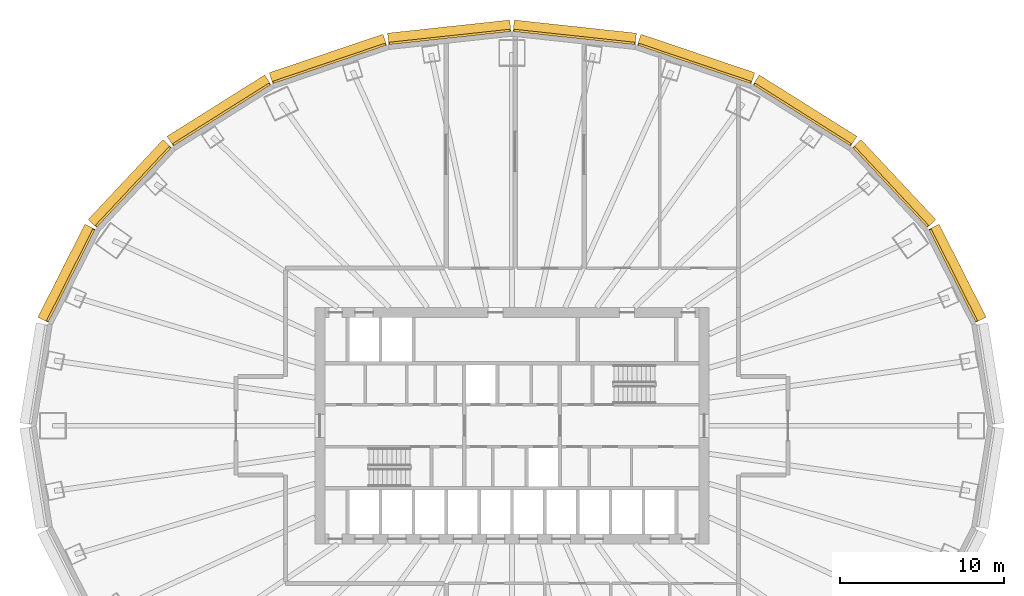
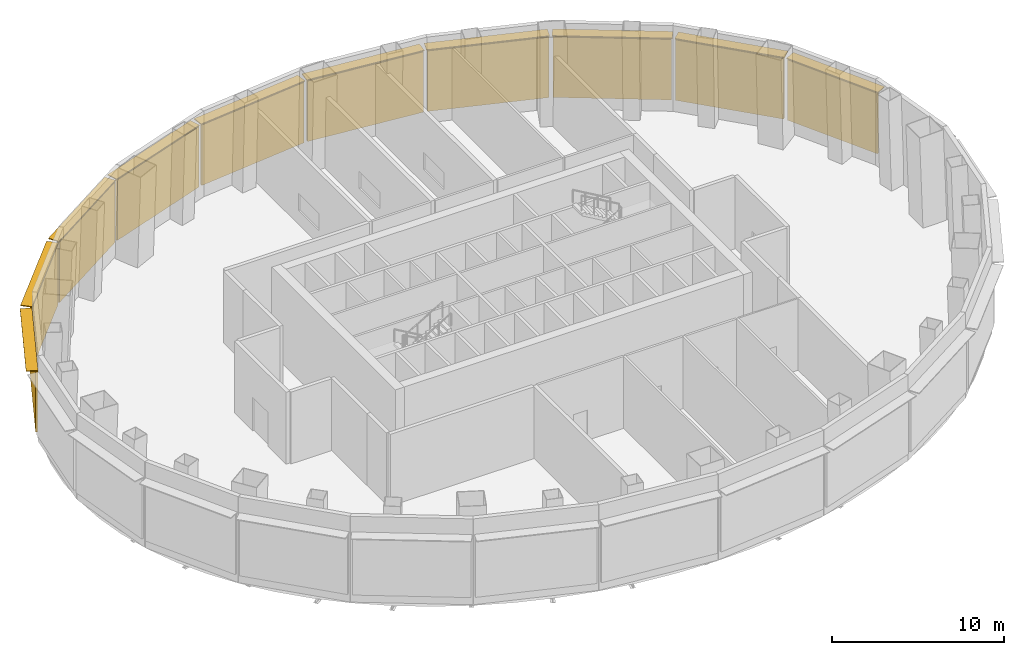
# One storey, part 9 of 9: 20 shading devices.
"""IFC4 building model written with IfcOpenShell, lengths in metres."""

import ifcopenshell
import ifcopenshell.guid

model = None  # the IFC model being written
_history = None  # IfcOwnerHistory: only IFC2X3 demands one
_inside = {}  # id of a spatial element -> (the spatial element, [elements in it])
_under = {}  # id of a project, library or spatial element -> (it, [spatial elements below it])
_declared = {}  # id of a project -> (the project, [libraries it declares])
_typed = {}  # id of a type object -> (the type object, [elements of that type])
_made_of = {}  # id of a material, layer set ... -> (it, [elements and type objects made of it])


def new_model(schema):
    """Start an empty IFC model of exactly this schema.

    Asked for "IFC4X3", IfcOpenShell would pick the latest addendum, in which some entities
    have other attributes; the version numbers below select the first issue.
    IFC2X3 requires an IfcOwnerHistory on every rooted entity: one is made here for all.
    """
    global model, _history
    if schema == "IFC4X3":
        model = ifcopenshell.file(schema_version=(4, 3, 0, 0))
    else:
        model = ifcopenshell.file(schema=schema)
    _inside.clear()
    _under.clear()
    _declared.clear()
    _typed.clear()
    _made_of.clear()
    _history = None
    if model.schema == "IFC2X3":
        org = make("IfcOrganization", Name="unknown")
        user = make(
            "IfcPersonAndOrganization",
            ThePerson=make("IfcPerson", FamilyName="unknown"),
            TheOrganization=org,
        )
        app = make(
            "IfcApplication",
            ApplicationDeveloper=org,
            Version="unknown",
            ApplicationFullName="unknown",
            ApplicationIdentifier="unknown",
        )
        _history = make(
            "IfcOwnerHistory",
            OwningUser=user,
            OwningApplication=app,
            ChangeAction="ADDED",
            CreationDate=0,
        )
    return model


def make(cls, **values):
    """One entity of the class cls with the attributes given. An attribute that is None is left unset."""
    return model.create_entity(
        cls, **{name: value for name, value in values.items() if value is not None}
    )


def rooted(cls, **values):
    """An entity with a GlobalId (a new one), such as an element, a storey or a relation."""
    return make(cls, GlobalId=ifcopenshell.guid.new(), OwnerHistory=_history, **values)


def si_unit(unit_type, name, prefix=None):
    """IfcSIUnit, for example si_unit("LENGTHUNIT", "METRE", prefix="MILLI")."""
    return make("IfcSIUnit", UnitType=unit_type, Prefix=prefix, Name=name)


def assignment(units):
    """IfcUnitAssignment: the units of a project."""
    return None if units is None else make("IfcUnitAssignment", Units=units)


def point(xyz):
    """IfcCartesianPoint."""
    return None if xyz is None else make("IfcCartesianPoint", Coordinates=xyz)


def direction(xyz):
    """IfcDirection."""
    return None if xyz is None else make("IfcDirection", DirectionRatios=xyz)


def frame(location, z_axis=None, x_axis=None):
    """IfcAxis2Placement3D, a coordinate frame: its origin and axes. An axis left out is left unset."""
    return make(
        "IfcAxis2Placement3D",
        Location=point(location),
        Axis=direction(z_axis),
        RefDirection=direction(x_axis),
    )


def frame_2d(location, x_axis=None):
    """IfcAxis2Placement2D, a coordinate frame in the plane: its origin and x axis."""
    return make(
        "IfcAxis2Placement2D", Location=point(location), RefDirection=direction(x_axis)
    )


def origin():
    """The frame at (0, 0, 0) with its axes left unset."""
    return frame((0.0, 0.0, 0.0))


def origin_2d():
    """The frame at (0, 0) in the plane with its x axis left unset."""
    return frame_2d((0.0, 0.0))


def place(relative_to, where):
    """IfcLocalPlacement: puts the frame where relative to a parent placement (None: the world)."""
    return make(
        "IfcLocalPlacement", PlacementRelTo=relative_to, RelativePlacement=where
    )


def context(
    kind, dimensions, precision=None, world=None, true_north=None, identifier=None
):
    """IfcGeometricRepresentationContext, for example the 3D "Model" context."""
    return make(
        "IfcGeometricRepresentationContext",
        ContextIdentifier=identifier,
        ContextType=kind,
        CoordinateSpaceDimension=dimensions,
        Precision=precision,
        WorldCoordinateSystem=world,
        TrueNorth=true_north,
    )


def subcontext(parent, identifier, kind, view, scale=None):
    """IfcGeometricRepresentationSubContext, for example "Body" below "Model"."""
    return make(
        "IfcGeometricRepresentationSubContext",
        ContextIdentifier=identifier,
        ContextType=kind,
        ParentContext=parent,
        TargetScale=scale,
        TargetView=view,
    )


def project(units=None, contexts=None):
    """IfcProject with its units and contexts."""
    return rooted(
        "IfcProject",
        Name="project",
        RepresentationContexts=contexts,
        UnitsInContext=assignment(units),
    )


def spatial(cls, under=None, at=None, **own):
    """A site, building, storey or space (cls), placed at a placement, below another one or the project."""
    s = rooted(cls, ObjectPlacement=at, **own)
    if under is not None:
        _under.setdefault(under.id(), (under, []))[1].append(s)
    return s


def profile(cls, at=None, kind="AREA", **sizes):
    """A parametric profile (cls). Its sizes go by their IFC names, for example OverallWidth=200.0."""
    return make(cls, ProfileType=kind, Position=at, **sizes)


def rectangle(**sizes):
    """IfcRectangleProfileDef."""
    return profile("IfcRectangleProfileDef", **sizes)


def extrude(swept, where, along, depth):
    """IfcExtrudedAreaSolid: the profile swept, set in the frame where, extruded along a direction by depth."""
    return make(
        "IfcExtrudedAreaSolid",
        SweptArea=swept,
        Position=where,
        ExtrudedDirection=direction(along),
        Depth=depth,
    )


def shape(context_of_items, identifier, shape_type, items):
    """IfcShapeRepresentation: the items that make up one representation, for example the "Body"."""
    return make(
        "IfcShapeRepresentation",
        ContextOfItems=context_of_items,
        RepresentationIdentifier=identifier,
        RepresentationType=shape_type,
        Items=items,
    )


def material(Name=None, Category=None):
    """IfcMaterial."""
    return make("IfcMaterial", Name=Name, Category=Category)


def layer(
    of_material, thickness, ventilated=None, Name=None, Category=None, Priority=None
):
    """IfcMaterialLayer: one layer of a wall or slab, of a material (None: an air gap)."""
    return make(
        "IfcMaterialLayer",
        Material=of_material,
        LayerThickness=thickness,
        IsVentilated=ventilated,
        Name=Name,
        Category=Category,
        Priority=Priority,
    )


def layer_set(layers, Name=None):
    """IfcMaterialLayerSet."""
    return make("IfcMaterialLayerSet", MaterialLayers=layers, LayerSetName=Name)


def made_of(thing, what):
    """Note that an element or type object is made of a material, layer set ...; save() writes the relation."""
    if what is not None:
        _made_of.setdefault(what.id(), (what, []))[1].append(thing)
    return thing


def type_object(cls, material=None, **own):
    """A type object (cls), such as IfcWallType, which elements share."""
    return made_of(rooted(cls, **own), material)


def element(
    cls,
    number,
    at=None,
    inside=None,
    cuts=None,
    type_object=None,
    material=None,
    context=None,
    identifier="Body",
    shape_type=None,
    held_by="IfcProductDefinitionShape",
    body=None,
    shapes=None,
    **own,
):
    """One element of the class cls, such as IfcWall. Its Tag is "e" and its number.

    at: its placement. inside: the storey or other place that contains it. cuts: it is an
    opening in that element (IfcRelVoidsElement). A single representation is given by context,
    identifier, shape_type and body (its items); several are given by shapes. held_by: the class
    of the entity that holds the representations. save() writes the other relations.
    """
    e = rooted(cls, Tag="e%d" % number, ObjectPlacement=at, **own)
    if body is not None:
        shapes = [shape(context, identifier, shape_type, body)]
    if shapes is not None:
        e.Representation = make(held_by, Representations=shapes)
    if inside is not None:
        _inside.setdefault(inside.id(), (inside, []))[1].append(e)
    if cuts is not None:
        rooted(
            "IfcRelVoidsElement", RelatingBuildingElement=cuts, RelatedOpeningElement=e
        )
    if type_object is not None:
        _typed.setdefault(type_object.id(), (type_object, []))[1].append(e)
    return made_of(e, material)


def aggregate(whole, parts):
    """IfcRelAggregates: a whole, such as a stair, and the parts it consists of."""
    return rooted("IfcRelAggregates", RelatingObject=whole, RelatedObjects=parts)


def save(model, path):
    """Write the relations noted so far, then the file.

    IfcRelAggregates (storeys below a building ...), IfcRelContainedInSpatialStructure (elements
    in a storey), IfcRelDefinesByType, IfcRelAssociatesMaterial and IfcRelDeclares: one each for
    every whole, place, type object, material and project.
    """
    for whole, parts in _under.values():
        aggregate(whole, parts)
    for where, things in _inside.values():
        rooted(
            "IfcRelContainedInSpatialStructure",
            RelatedElements=things,
            RelatingStructure=where,
        )
    for kind, things in _typed.values():
        rooted("IfcRelDefinesByType", RelatedObjects=things, RelatingType=kind)
    for what, things in _made_of.values():
        rooted("IfcRelAssociatesMaterial", RelatedObjects=things, RelatingMaterial=what)
    for by, libraries in _declared.values():
        rooted("IfcRelDeclares", RelatingContext=by, RelatedDefinitions=libraries)
    model.write(path)


model = new_model("IFC4")

# Units and contexts
model_context = context("Model", 3, precision=1e-05, world=origin(), true_north=direction((0.0, 1.0)))
body_context = subcontext(model_context, "Body", "Model", "MODEL_VIEW")
ifc_project = project(units=[si_unit("LENGTHUNIT", "METRE"), si_unit("AREAUNIT", "SQUARE_METRE"), si_unit("VOLUMEUNIT", "CUBIC_METRE"), si_unit("PLANEANGLEUNIT", "RADIAN"), si_unit("MASSUNIT", "GRAM", prefix="KILO")], contexts=[model_context])

# Site, building, storey
site_placement = place(None, origin())
site = spatial("IfcSite", under=ifc_project, at=site_placement, CompositionType="ELEMENT")
building_placement = place(site_placement, origin())
building = spatial("IfcBuilding", under=site, at=building_placement, Name="Siaravel Broadcast Tower", CompositionType="ELEMENT")
storey_placement = place(building_placement, frame((0.0, 0.0, 13.5)))
storey = spatial("IfcBuildingStorey", under=building, at=storey_placement, Name="L02", CompositionType="ELEMENT", Elevation=13.5)

# Shading devices
ifc_material_1 = material(Name="Bronze anodised aluminium", Category="aluminium")
ifc_layer_1 = layer(ifc_material_1, 0.06005859375)
ifc_layer_set_1 = layer_set([ifc_layer_1], Name="Bronze anodised aluminium")
shading_device_type_1 = type_object("IfcShadingDeviceType", Name="Brise-soleil band", PredefinedType="USERDEFINED", material=ifc_layer_set_1)
shading_device_1_placement = place(storey_placement, frame((27.12060546875, 9.28271484375, 4.929931640625), z_axis=(0.0, 0.0, 1.0), x_axis=(-0.451262289, 0.892391364, 0.0)))
element("IfcShadingDevice", 1, at=shading_device_1_placement, inside=storey, type_object=shading_device_type_1, Name="L02 brise-soleil band 02", ObjectType="SUNSHADE", PredefinedType="USERDEFINED", context=body_context, shape_type="SweptSolid", body=[
    extrude(rectangle(XDim=6.351318359375, YDim=0.699951171875, at=origin_2d()), origin(), (0.0, 0.0, 1.0), 0.06005859375),
])
shading_device_2_placement = place(storey_placement, frame((23.26904296875, 14.748291015625, 4.929931640625), z_axis=(0.0, 0.0, 1.0), x_axis=(-0.683655992, 0.729804415, 0.0)))
element("IfcShadingDevice", 2, at=shading_device_2_placement, inside=storey, type_object=shading_device_type_1, Name="L02 brise-soleil band 03", ObjectType="SUNSHADE", PredefinedType="USERDEFINED", context=body_context, shape_type="SweptSolid", body=[
    extrude(rectangle(XDim=6.672119140625, YDim=0.699951171875, at=origin_2d()), origin(), (0.0, 0.0, 1.0), 0.06005859375),
])
shading_device_3_placement = place(storey_placement, frame((17.83984375, 19.1962890625, 4.929931640625), z_axis=(0.0, 0.0, 1.0), x_axis=(-0.846650436, 0.532149452, 0.0)))
element("IfcShadingDevice", 3, at=shading_device_3_placement, inside=storey, type_object=shading_device_type_1, Name="L02 brise-soleil band 04", ObjectType="SUNSHADE", PredefinedType="USERDEFINED", context=body_context, shape_type="SweptSolid", body=[
    extrude(rectangle(XDim=7.0244140625, YDim=0.699951171875, at=origin_2d()), origin(), (0.0, 0.0, 1.0), 0.06005859375),
])
shading_device_4_placement = place(storey_placement, frame((11.20751953125, 22.333251953125, 4.929931640625), z_axis=(0.0, 0.0, 1.0), x_axis=(-0.946977245, 0.321300635, 0.0)))
element("IfcShadingDevice", 4, at=shading_device_4_placement, inside=storey, type_object=shading_device_type_1, Name="L02 brise-soleil band 05", ObjectType="SUNSHADE", PredefinedType="USERDEFINED", context=body_context, shape_type="SweptSolid", body=[
    extrude(rectangle(XDim=7.316162109375, YDim=0.699951171875, at=origin_2d()), origin(), (0.0, 0.0, 1.0), 0.06005859375),
])
for number, where, z_axis, x_axis, name in (
    (5, (3.8212890625, 23.95458984375, 4.929931640625), (0.0, 0.0, 1.0), (-0.994235667, 0.107216783, 0.0), "L02 brise-soleil band 06"),
    (6, (-3.8212890625, 23.95458984375, 4.929931640625), (0.0, 0.0, 1.0), (-0.994235667, -0.107216783, 0.0), "L02 brise-soleil band 07"),
):
    element("IfcShadingDevice", number, at=place(storey_placement, frame(where, z_axis=z_axis, x_axis=x_axis)), inside=storey, type_object=shading_device_type_1, Name=name, ObjectType="SUNSHADE", PredefinedType="USERDEFINED", context=body_context, shape_type="SweptSolid", body=[
        extrude(rectangle(XDim=7.4794921875, YDim=0.699951171875, at=origin_2d()), origin(), (0.0, 0.0, 1.0), 0.06005859375),
    ])
shading_device_5_placement = place(storey_placement, frame((-11.20751953125, 22.333251953125, 4.929931640625), z_axis=(0.0, 0.0, 1.0), x_axis=(-0.946977245, -0.321300635, 0.0)))
element("IfcShadingDevice", 7, at=shading_device_5_placement, inside=storey, type_object=shading_device_type_1, Name="L02 brise-soleil band 08", ObjectType="SUNSHADE", PredefinedType="USERDEFINED", context=body_context, shape_type="SweptSolid", body=[
    extrude(rectangle(XDim=7.316162109375, YDim=0.699951171875, at=origin_2d()), origin(), (0.0, 0.0, 1.0), 0.06005859375),
])
shading_device_6_placement = place(storey_placement, frame((-17.83984375, 19.1962890625, 4.929931640625), z_axis=(0.0, 0.0, 1.0), x_axis=(-0.846650436, -0.532149452, 0.0)))
element("IfcShadingDevice", 8, at=shading_device_6_placement, inside=storey, type_object=shading_device_type_1, Name="L02 brise-soleil band 09", ObjectType="SUNSHADE", PredefinedType="USERDEFINED", context=body_context, shape_type="SweptSolid", body=[
    extrude(rectangle(XDim=7.0244140625, YDim=0.699951171875, at=origin_2d()), origin(), (0.0, 0.0, 1.0), 0.06005859375),
])
shading_device_7_placement = place(storey_placement, frame((-23.26904296875, 14.748291015625, 4.929931640625), z_axis=(0.0, 0.0, 1.0), x_axis=(-0.683655992, -0.729804415, 0.0)))
element("IfcShadingDevice", 9, at=shading_device_7_placement, inside=storey, type_object=shading_device_type_1, Name="L02 brise-soleil band 10", ObjectType="SUNSHADE", PredefinedType="USERDEFINED", context=body_context, shape_type="SweptSolid", body=[
    extrude(rectangle(XDim=6.672119140625, YDim=0.699951171875, at=origin_2d()), origin(), (0.0, 0.0, 1.0), 0.06005859375),
])
shading_device_8_placement = place(storey_placement, frame((-27.12060546875, 9.28271484375, 4.929931640625), z_axis=(0.0, 0.0, 1.0), x_axis=(-0.451262289, -0.892391364, 0.0)))
element("IfcShadingDevice", 10, at=shading_device_8_placement, inside=storey, type_object=shading_device_type_1, Name="L02 brise-soleil band 11", ObjectType="SUNSHADE", PredefinedType="USERDEFINED", context=body_context, shape_type="SweptSolid", body=[
    extrude(rectangle(XDim=6.351318359375, YDim=0.699951171875, at=origin_2d()), origin(), (0.0, 0.0, 1.0), 0.06005859375),
])
ifc_material_2 = material(Name="Precast concrete C40/50", Category="concrete")
ifc_layer_2 = layer(ifc_material_2, 0.139892578125)
ifc_layer_set_2 = layer_set([ifc_layer_2], Name="Precast concrete C40/50")
shading_device_type_2 = type_object("IfcShadingDeviceType", Name="Cobogo screen", PredefinedType="USERDEFINED", material=ifc_layer_set_2)
shading_device_9_placement = place(storey_placement, frame((26.87060546875, 9.156494140625, 0.60009765625), z_axis=(0.0, 0.0, 1.0), x_axis=(-0.451262289, 0.892391364, 0.0)))
element("IfcShadingDevice", 11, at=shading_device_9_placement, inside=storey, type_object=shading_device_type_2, Name="L02 cobogo screen 02", ObjectType="SCREEN", PredefinedType="USERDEFINED", context=body_context, shape_type="SweptSolid", body=[
    extrude(rectangle(XDim=6.25146484375, YDim=0.139892578125, at=origin_2d()), origin(), (0.0, 0.0, 1.0), 4.300048828125),
])
shading_device_10_placement = place(storey_placement, frame((23.064697265625, 14.556884765625, 0.60009765625), z_axis=(0.0, 0.0, 1.0), x_axis=(-0.683655992, 0.729804415, 0.0)))
element("IfcShadingDevice", 12, at=shading_device_10_placement, inside=storey, type_object=shading_device_type_2, Name="L02 cobogo screen 03", ObjectType="SCREEN", PredefinedType="USERDEFINED", context=body_context, shape_type="SweptSolid", body=[
    extrude(rectangle(XDim=6.572021484375, YDim=0.139892578125, at=origin_2d()), origin(), (0.0, 0.0, 1.0), 4.300048828125),
])
shading_device_11_placement = place(storey_placement, frame((17.69091796875, 18.958984375, 0.60009765625), z_axis=(0.0, 0.0, 1.0), x_axis=(-0.846650436, 0.532149452, 0.0)))
element("IfcShadingDevice", 13, at=shading_device_11_placement, inside=storey, type_object=shading_device_type_2, Name="L02 cobogo screen 04", ObjectType="SCREEN", PredefinedType="USERDEFINED", context=body_context, shape_type="SweptSolid", body=[
    extrude(rectangle(XDim=6.924560546875, YDim=0.139892578125, at=origin_2d()), origin(), (0.0, 0.0, 1.0), 4.300048828125),
])
shading_device_12_placement = place(storey_placement, frame((11.117431640625, 22.068115234375, 0.60009765625), z_axis=(0.0, 0.0, 1.0), x_axis=(-0.946977245, 0.321300635, 0.0)))
element("IfcShadingDevice", 14, at=shading_device_12_placement, inside=storey, type_object=shading_device_type_2, Name="L02 cobogo screen 05", ObjectType="SCREEN", PredefinedType="USERDEFINED", context=body_context, shape_type="SweptSolid", body=[
    extrude(rectangle(XDim=7.21630859375, YDim=0.139892578125, at=origin_2d()), origin(), (0.0, 0.0, 1.0), 4.300048828125),
])
for number, where, z_axis, x_axis, name in (
    (15, (3.791259765625, 23.676025390625, 0.60009765625), (0.0, 0.0, 1.0), (-0.994235667, 0.107216783, 0.0), "L02 cobogo screen 06"),
    (16, (-3.791259765625, 23.676025390625, 0.60009765625), (0.0, 0.0, 1.0), (-0.994235667, -0.107216783, 0.0), "L02 cobogo screen 07"),
):
    element("IfcShadingDevice", number, at=place(storey_placement, frame(where, z_axis=z_axis, x_axis=x_axis)), inside=storey, type_object=shading_device_type_2, Name=name, ObjectType="SCREEN", PredefinedType="USERDEFINED", context=body_context, shape_type="SweptSolid", body=[
        extrude(rectangle(XDim=7.379638671875, YDim=0.139892578125, at=origin_2d()), origin(), (0.0, 0.0, 1.0), 4.300048828125),
    ])
shading_device_13_placement = place(storey_placement, frame((-11.117431640625, 22.068115234375, 0.60009765625), z_axis=(0.0, 0.0, 1.0), x_axis=(-0.946977245, -0.321300635, 0.0)))
element("IfcShadingDevice", 17, at=shading_device_13_placement, inside=storey, type_object=shading_device_type_2, Name="L02 cobogo screen 08", ObjectType="SCREEN", PredefinedType="USERDEFINED", context=body_context, shape_type="SweptSolid", body=[
    extrude(rectangle(XDim=7.21630859375, YDim=0.139892578125, at=origin_2d()), origin(), (0.0, 0.0, 1.0), 4.300048828125),
])
shading_device_14_placement = place(storey_placement, frame((-17.69091796875, 18.958984375, 0.60009765625), z_axis=(0.0, 0.0, 1.0), x_axis=(-0.846650436, -0.532149452, 0.0)))
element("IfcShadingDevice", 18, at=shading_device_14_placement, inside=storey, type_object=shading_device_type_2, Name="L02 cobogo screen 09", ObjectType="SCREEN", PredefinedType="USERDEFINED", context=body_context, shape_type="SweptSolid", body=[
    extrude(rectangle(XDim=6.924560546875, YDim=0.139892578125, at=origin_2d()), origin(), (0.0, 0.0, 1.0), 4.300048828125),
])
shading_device_15_placement = place(storey_placement, frame((-23.064697265625, 14.556884765625, 0.60009765625), z_axis=(0.0, 0.0, 1.0), x_axis=(-0.683655992, -0.729804415, 0.0)))
element("IfcShadingDevice", 19, at=shading_device_15_placement, inside=storey, type_object=shading_device_type_2, Name="L02 cobogo screen 10", ObjectType="SCREEN", PredefinedType="USERDEFINED", context=body_context, shape_type="SweptSolid", body=[
    extrude(rectangle(XDim=6.572021484375, YDim=0.139892578125, at=origin_2d()), origin(), (0.0, 0.0, 1.0), 4.300048828125),
])
shading_device_16_placement = place(storey_placement, frame((-26.87060546875, 9.156494140625, 0.60009765625), z_axis=(0.0, 0.0, 1.0), x_axis=(-0.451262289, -0.892391364, 0.0)))
element("IfcShadingDevice", 20, at=shading_device_16_placement, inside=storey, type_object=shading_device_type_2, Name="L02 cobogo screen 11", ObjectType="SCREEN", PredefinedType="USERDEFINED", context=body_context, shape_type="SweptSolid", body=[
    extrude(rectangle(XDim=6.25146484375, YDim=0.139892578125, at=origin_2d()), origin(), (0.0, 0.0, 1.0), 4.300048828125),
])

save(model, "model.ifc")
